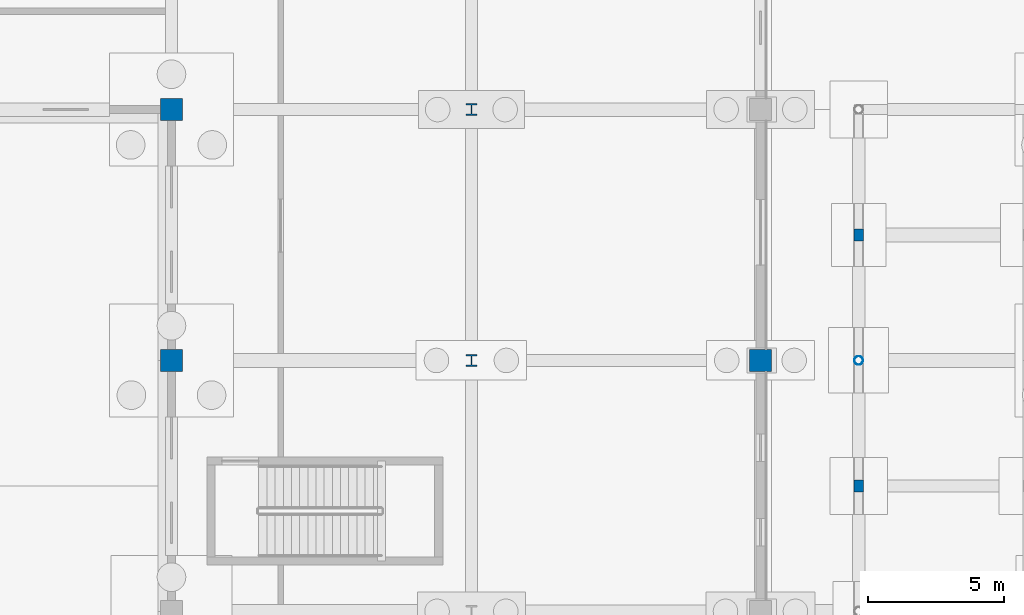
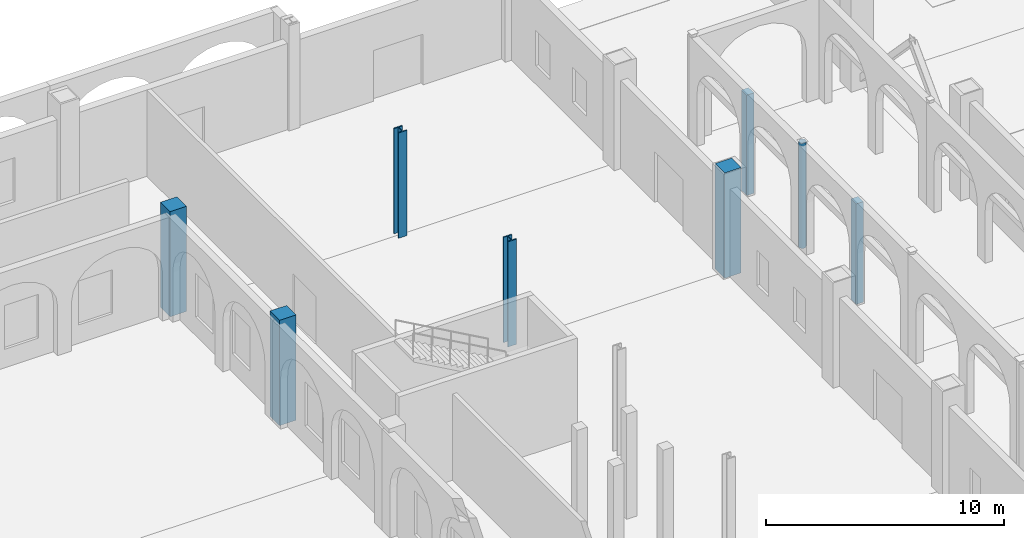
# One storey, part 25 of 83: 8 columns.
"""IFC4 building model written with IfcOpenShell, lengths in metres."""

import ifcopenshell
import ifcopenshell.guid

model = None  # the IFC model being written
_history = None  # IfcOwnerHistory: only IFC2X3 demands one
_inside = {}  # id of a spatial element -> (the spatial element, [elements in it])
_under = {}  # id of a project, library or spatial element -> (it, [spatial elements below it])
_declared = {}  # id of a project -> (the project, [libraries it declares])
_typed = {}  # id of a type object -> (the type object, [elements of that type])
_made_of = {}  # id of a material, layer set ... -> (it, [elements and type objects made of it])


def new_model(schema):
    """Start an empty IFC model of exactly this schema.

    Asked for "IFC4X3", IfcOpenShell would pick the latest addendum, in which some entities
    have other attributes; the version numbers below select the first issue.
    IFC2X3 requires an IfcOwnerHistory on every rooted entity: one is made here for all.
    """
    global model, _history
    if schema == "IFC4X3":
        model = ifcopenshell.file(schema_version=(4, 3, 0, 0))
    else:
        model = ifcopenshell.file(schema=schema)
    _inside.clear()
    _under.clear()
    _declared.clear()
    _typed.clear()
    _made_of.clear()
    _history = None
    if model.schema == "IFC2X3":
        org = make("IfcOrganization", Name="unknown")
        user = make(
            "IfcPersonAndOrganization",
            ThePerson=make("IfcPerson", FamilyName="unknown"),
            TheOrganization=org,
        )
        app = make(
            "IfcApplication",
            ApplicationDeveloper=org,
            Version="unknown",
            ApplicationFullName="unknown",
            ApplicationIdentifier="unknown",
        )
        _history = make(
            "IfcOwnerHistory",
            OwningUser=user,
            OwningApplication=app,
            ChangeAction="ADDED",
            CreationDate=0,
        )
    return model


def make(cls, **values):
    """One entity of the class cls with the attributes given. An attribute that is None is left unset."""
    return model.create_entity(
        cls, **{name: value for name, value in values.items() if value is not None}
    )


def rooted(cls, **values):
    """An entity with a GlobalId (a new one), such as an element, a storey or a relation."""
    return make(cls, GlobalId=ifcopenshell.guid.new(), OwnerHistory=_history, **values)


def si_unit(unit_type, name, prefix=None):
    """IfcSIUnit, for example si_unit("LENGTHUNIT", "METRE", prefix="MILLI")."""
    return make("IfcSIUnit", UnitType=unit_type, Prefix=prefix, Name=name)


def assignment(units):
    """IfcUnitAssignment: the units of a project."""
    return None if units is None else make("IfcUnitAssignment", Units=units)


def point(xyz):
    """IfcCartesianPoint."""
    return None if xyz is None else make("IfcCartesianPoint", Coordinates=xyz)


def direction(xyz):
    """IfcDirection."""
    return None if xyz is None else make("IfcDirection", DirectionRatios=xyz)


def frame(location, z_axis=None, x_axis=None):
    """IfcAxis2Placement3D, a coordinate frame: its origin and axes. An axis left out is left unset."""
    return make(
        "IfcAxis2Placement3D",
        Location=point(location),
        Axis=direction(z_axis),
        RefDirection=direction(x_axis),
    )


def frame_2d(location, x_axis=None):
    """IfcAxis2Placement2D, a coordinate frame in the plane: its origin and x axis."""
    return make(
        "IfcAxis2Placement2D", Location=point(location), RefDirection=direction(x_axis)
    )


def origin():
    """The frame at (0, 0, 0) with its axes left unset."""
    return frame((0.0, 0.0, 0.0))


def origin_2d():
    """The frame at (0, 0) in the plane with its x axis left unset."""
    return frame_2d((0.0, 0.0))


def place(relative_to, where):
    """IfcLocalPlacement: puts the frame where relative to a parent placement (None: the world)."""
    return make(
        "IfcLocalPlacement", PlacementRelTo=relative_to, RelativePlacement=where
    )


def context(
    kind, dimensions, precision=None, world=None, true_north=None, identifier=None
):
    """IfcGeometricRepresentationContext, for example the 3D "Model" context."""
    return make(
        "IfcGeometricRepresentationContext",
        ContextIdentifier=identifier,
        ContextType=kind,
        CoordinateSpaceDimension=dimensions,
        Precision=precision,
        WorldCoordinateSystem=world,
        TrueNorth=true_north,
    )


def subcontext(parent, identifier, kind, view, scale=None):
    """IfcGeometricRepresentationSubContext, for example "Body" below "Model"."""
    return make(
        "IfcGeometricRepresentationSubContext",
        ContextIdentifier=identifier,
        ContextType=kind,
        ParentContext=parent,
        TargetScale=scale,
        TargetView=view,
    )


def project(units=None, contexts=None):
    """IfcProject with its units and contexts."""
    return rooted(
        "IfcProject",
        Name="project",
        RepresentationContexts=contexts,
        UnitsInContext=assignment(units),
    )


def spatial(cls, under=None, at=None, **own):
    """A site, building, storey or space (cls), placed at a placement, below another one or the project."""
    s = rooted(cls, ObjectPlacement=at, **own)
    if under is not None:
        _under.setdefault(under.id(), (under, []))[1].append(s)
    return s


def profile(cls, at=None, kind="AREA", **sizes):
    """A parametric profile (cls). Its sizes go by their IFC names, for example OverallWidth=200.0."""
    return make(cls, ProfileType=kind, Position=at, **sizes)


def rectangle(**sizes):
    """IfcRectangleProfileDef."""
    return profile("IfcRectangleProfileDef", **sizes)


def hollow_circle(**sizes):
    """IfcCircleHollowProfileDef."""
    return profile("IfcCircleHollowProfileDef", **sizes)


def i_section(**sizes):
    """IfcIShapeProfileDef."""
    return profile("IfcIShapeProfileDef", **sizes)


def extrude(swept, where, along, depth):
    """IfcExtrudedAreaSolid: the profile swept, set in the frame where, extruded along a direction by depth."""
    return make(
        "IfcExtrudedAreaSolid",
        SweptArea=swept,
        Position=where,
        ExtrudedDirection=direction(along),
        Depth=depth,
    )


def shape(context_of_items, identifier, shape_type, items):
    """IfcShapeRepresentation: the items that make up one representation, for example the "Body"."""
    return make(
        "IfcShapeRepresentation",
        ContextOfItems=context_of_items,
        RepresentationIdentifier=identifier,
        RepresentationType=shape_type,
        Items=items,
    )


def material(Name=None, Category=None):
    """IfcMaterial."""
    return make("IfcMaterial", Name=Name, Category=Category)


def material_profile(
    of_material, cross_section, Name=None, Category=None, Priority=None
):
    """IfcMaterialProfile: a cross section and its material."""
    return make(
        "IfcMaterialProfile",
        Name=Name,
        Material=of_material,
        Profile=cross_section,
        Priority=Priority,
        Category=Category,
    )


def profile_set(profiles, Name=None, composite=None):
    """IfcMaterialProfileSet."""
    return make(
        "IfcMaterialProfileSet",
        Name=Name,
        MaterialProfiles=profiles,
        CompositeProfile=composite,
    )


def made_of(thing, what):
    """Note that an element or type object is made of a material, layer set ...; save() writes the relation."""
    if what is not None:
        _made_of.setdefault(what.id(), (what, []))[1].append(thing)
    return thing


def type_object(cls, material=None, **own):
    """A type object (cls), such as IfcWallType, which elements share."""
    return made_of(rooted(cls, **own), material)


def element(
    cls,
    number,
    at=None,
    inside=None,
    cuts=None,
    type_object=None,
    material=None,
    context=None,
    identifier="Body",
    shape_type=None,
    held_by="IfcProductDefinitionShape",
    body=None,
    shapes=None,
    **own,
):
    """One element of the class cls, such as IfcWall. Its Tag is "e" and its number.

    at: its placement. inside: the storey or other place that contains it. cuts: it is an
    opening in that element (IfcRelVoidsElement). A single representation is given by context,
    identifier, shape_type and body (its items); several are given by shapes. held_by: the class
    of the entity that holds the representations. save() writes the other relations.
    """
    e = rooted(cls, Tag="e%d" % number, ObjectPlacement=at, **own)
    if body is not None:
        shapes = [shape(context, identifier, shape_type, body)]
    if shapes is not None:
        e.Representation = make(held_by, Representations=shapes)
    if inside is not None:
        _inside.setdefault(inside.id(), (inside, []))[1].append(e)
    if cuts is not None:
        rooted(
            "IfcRelVoidsElement", RelatingBuildingElement=cuts, RelatedOpeningElement=e
        )
    if type_object is not None:
        _typed.setdefault(type_object.id(), (type_object, []))[1].append(e)
    return made_of(e, material)


def aggregate(whole, parts):
    """IfcRelAggregates: a whole, such as a stair, and the parts it consists of."""
    return rooted("IfcRelAggregates", RelatingObject=whole, RelatedObjects=parts)


def save(model, path):
    """Write the relations noted so far, then the file.

    IfcRelAggregates (storeys below a building ...), IfcRelContainedInSpatialStructure (elements
    in a storey), IfcRelDefinesByType, IfcRelAssociatesMaterial and IfcRelDeclares: one each for
    every whole, place, type object, material and project.
    """
    for whole, parts in _under.values():
        aggregate(whole, parts)
    for where, things in _inside.values():
        rooted(
            "IfcRelContainedInSpatialStructure",
            RelatedElements=things,
            RelatingStructure=where,
        )
    for kind, things in _typed.values():
        rooted("IfcRelDefinesByType", RelatedObjects=things, RelatingType=kind)
    for what, things in _made_of.values():
        rooted("IfcRelAssociatesMaterial", RelatedObjects=things, RelatingMaterial=what)
    for by, libraries in _declared.values():
        rooted("IfcRelDeclares", RelatingContext=by, RelatedDefinitions=libraries)
    model.write(path)


model = new_model("IFC4")

# Units and contexts
model_context = context("Model", 3, precision=1e-05, world=origin(), true_north=direction((0.0, 1.0)))
body_context = subcontext(model_context, "Body", "Model", "MODEL_VIEW")
ifc_project = project(units=[si_unit("LENGTHUNIT", "METRE"), si_unit("AREAUNIT", "SQUARE_METRE"), si_unit("VOLUMEUNIT", "CUBIC_METRE"), si_unit("PLANEANGLEUNIT", "RADIAN"), si_unit("MASSUNIT", "GRAM", prefix="KILO")], contexts=[model_context])

# Site, building, storey
site_placement = place(None, origin())
site = spatial("IfcSite", under=ifc_project, at=site_placement, CompositionType="ELEMENT")
building_placement = place(site_placement, origin())
building = spatial("IfcBuilding", under=site, at=building_placement, Name="Caurita Quay Ferry Terminal", CompositionType="ELEMENT")
storey_placement = place(building_placement, origin())
storey = spatial("IfcBuildingStorey", under=building, at=storey_placement, Name="L00", CompositionType="ELEMENT", Elevation=0.0)

# Columns
ifc_material_1 = material(Name="Hollow structural steel ASTM A500 Gr. C", Category="steel")
ifc_material_profile_1 = material_profile(ifc_material_1, hollow_circle(Radius=0.161865234375, WallThickness=0.0087890625, at=origin_2d()), Name="HSS12.750X0.375")
ifc_profile_set_1 = profile_set([ifc_material_profile_1], Name="Hollow structural steel ASTM A500 Gr. C")
column_type_1 = type_object("IfcColumnType", Name="COL-MST-03", PredefinedType="COLUMN", material=ifc_profile_set_1)
column_placement = place(storey_placement, frame((91.199951171875, 98.60009765625, 0.0), z_axis=(0.0, 0.0, 1.0), x_axis=(1.0, 0.0, 0.0)))
element("IfcColumn", 1, at=column_placement, inside=storey, type_object=column_type_1, Name="L00 Column V6-W-P", PredefinedType="COLUMN", context=body_context, shape_type="SweptSolid", body=[
    extrude(hollow_circle(Radius=0.161865234375, WallThickness=0.0087890625, at=origin_2d()), origin(), (0.0, 0.0, 1.0), 5.39990234375),
])
ifc_material_2 = material(Name="Marine reinforced concrete C40/50", Category="concrete")
ifc_material_profile_2 = material_profile(ifc_material_2, rectangle(XDim=0.800048828125, YDim=0.800048828125, at=origin_2d()), Name="RC-COL-800X800")
ifc_profile_set_2 = profile_set([ifc_material_profile_2], Name="Marine reinforced concrete C40/50")
column_type_2 = type_object("IfcColumnType", Name="COL-RC-800", PredefinedType="COLUMN", material=ifc_profile_set_2)
for number, where, z_axis, x_axis, name in (
    (2, (66.0, 98.60009765625, 0.0), (0.0, 0.0, 1.0), (1.0, 0.0, 0.0), "L00 Column V5-07-P"),
    (3, (66.0, 107.800048828125, 0.0), (0.0, 0.0, 1.0), (1.0, 0.0, 0.0), "L00 Column V5-07-Q"),
    (4, (87.60009765625, 98.60009765625, 0.0), (0.0, 0.0, 1.0), (1.0, 0.0, 0.0), "L00 Column V5-09-P"),
):
    element("IfcColumn", number, at=place(storey_placement, frame(where, z_axis=z_axis, x_axis=x_axis)), inside=storey, type_object=column_type_2, Name=name, PredefinedType="COLUMN", context=body_context, shape_type="SweptSolid", body=[
        extrude(rectangle(XDim=0.800048828125, YDim=0.800048828125, at=origin_2d()), origin(), (0.0, 0.0, 1.0), 5.39990234375),
    ])
ifc_material_3 = material(Name="Structural steel ASTM A992 Gr. 50", Category="steel")
ifc_material_profile_3 = material_profile(ifc_material_3, i_section(OverallWidth=0.410888671875, OverallDepth=0.43408203125, WebThickness=0.035888671875, FlangeThickness=0.057373046875, at=origin_2d()), Name="W14X311")
ifc_profile_set_3 = profile_set([ifc_material_profile_3], Name="Structural steel ASTM A992 Gr. 50")
column_type_3 = type_object("IfcColumnType", Name="COL-STL-01", PredefinedType="COLUMN", material=ifc_profile_set_3)
for number, where, z_axis, x_axis, name in (
    (5, (77.0, 98.60009765625, 0.0), (0.0, 0.0, 1.0), (1.0, 0.0, 0.0), "L00 Column V5-08-P"),
    (6, (77.0, 107.800048828125, 0.0), (0.0, 0.0, 1.0), (1.0, 0.0, 0.0), "L00 Column V5-08-Q"),
):
    element("IfcColumn", number, at=place(storey_placement, frame(where, z_axis=z_axis, x_axis=x_axis)), inside=storey, type_object=column_type_3, Name=name, PredefinedType="COLUMN", context=body_context, shape_type="SweptSolid", body=[
        extrude(i_section(OverallWidth=0.410888671875, OverallDepth=0.43408203125, WebThickness=0.035888671875, FlangeThickness=0.057373046875, at=origin_2d()), origin(), (0.0, 0.0, 1.0), 5.39990234375),
    ])
ifc_material_4 = material(Name="Reinforced concrete C35/45", Category="concrete")
ifc_material_profile_4 = material_profile(ifc_material_4, rectangle(XDim=0.35009765625, YDim=0.449951171875, at=origin_2d()), Name="RC-PIL-450X350")
ifc_profile_set_4 = profile_set([ifc_material_profile_4], Name="Reinforced concrete C35/45")
column_type_4 = type_object("IfcColumnType", Name="PIL-RC-4535", PredefinedType="PILASTER", material=ifc_profile_set_4)
for number, where, z_axis, x_axis, name in (
    (7, (91.199951171875, 94.0, 0.0), (0.0, 0.0, 1.0), (1.0, 0.0, 0.0), "L00 Portico Arcade Pilaster PIL-03"),
    (8, (91.199951171875, 103.199951171875, 0.0), (0.0, 0.0, 1.0), (1.0, 0.0, 0.0), "L00 Portico Arcade Pilaster PIL-04"),
):
    element("IfcColumn", number, at=place(storey_placement, frame(where, z_axis=z_axis, x_axis=x_axis)), inside=storey, type_object=column_type_4, Name=name, PredefinedType="PILASTER", context=body_context, shape_type="SweptSolid", body=[
        extrude(rectangle(XDim=0.35009765625, YDim=0.449951171875, at=origin_2d()), origin(), (0.0, 0.0, 1.0), 5.14990234375),
    ])

save(model, "model.ifc")
